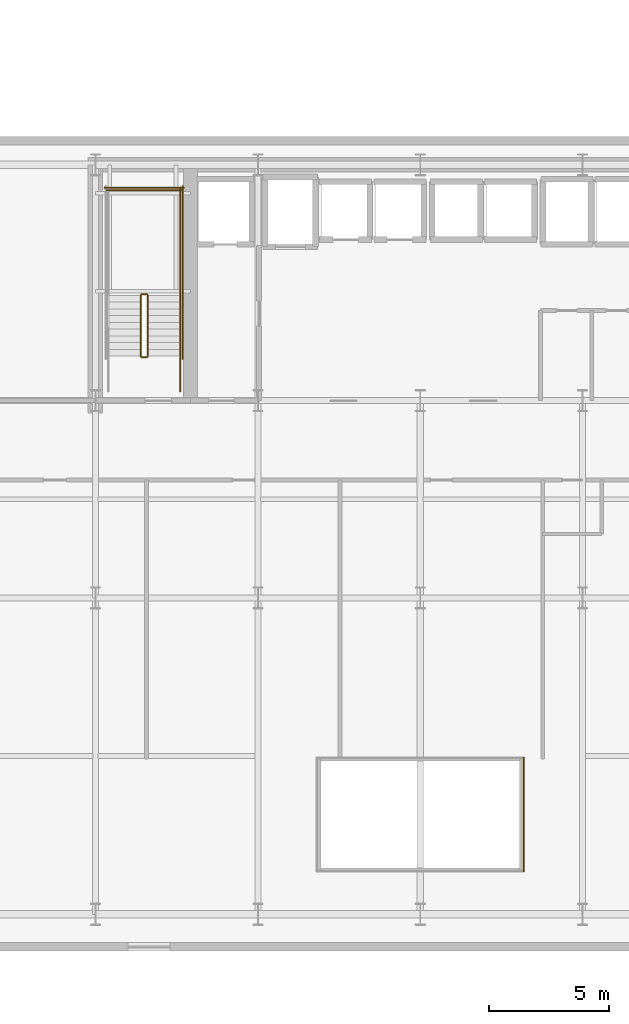
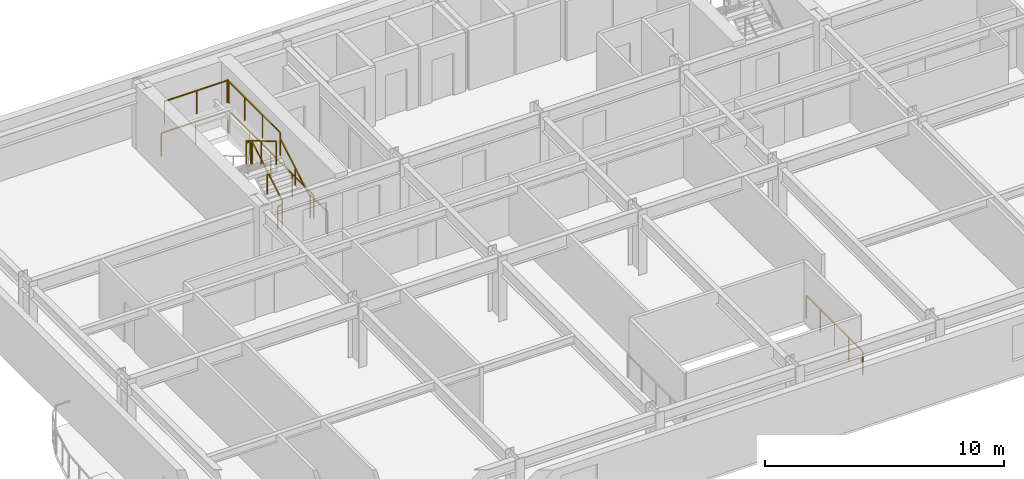
# One storey, part 12 of 16: 11 railings.
"""IFC4 building model written with IfcOpenShell, lengths in metres."""

from ifc_helpers import new_model, si_unit, direction, frame, origin, origin_2d, place, context, subcontext, project, spatial, rectangle, extrude, material, type_object, element, save


model = new_model("IFC4")

# Units and contexts
model_context = context("Model", 3, precision=1e-05, world=origin(), true_north=direction((0.0, 1.0)))
body_context = subcontext(model_context, "Body", "Model", "MODEL_VIEW")
ifc_project = project(units=[si_unit("LENGTHUNIT", "METRE"), si_unit("AREAUNIT", "SQUARE_METRE"), si_unit("VOLUMEUNIT", "CUBIC_METRE"), si_unit("PLANEANGLEUNIT", "RADIAN"), si_unit("MASSUNIT", "GRAM", prefix="KILO")], contexts=[model_context])

# Site, building, storey
site_placement = place(None, origin())
site = spatial("IfcSite", under=ifc_project, at=site_placement, CompositionType="ELEMENT")
building_placement = place(site_placement, origin())
building = spatial("IfcBuilding", under=site, at=building_placement, Name="Haevon Station Towers", CompositionType="ELEMENT")
storey_placement = place(building_placement, frame((0.0, 0.0, 57.0)))
storey = spatial("IfcBuildingStorey", under=building, at=storey_placement, Name="L14", CompositionType="ELEMENT", Elevation=57.0)

# Railings
ifc_material = material(Name="Steel S355", Category="steel")
railing_type_1 = type_object("IfcRailingType", Name="BAL-ATR1200", PredefinedType="BALUSTRADE", material=ifc_material)
railing_1_placement = place(storey_placement, frame((41.80517578125, 18.642333984375, 0.0)))
element("IfcRailing", 1, at=railing_1_placement, inside=storey, type_object=railing_type_1, Name="L14 Atrium Void Balustrade 2", PredefinedType="BALUSTRADE", context=body_context, shape_type="SweptSolid", body=[
    extrude(rectangle(XDim=0.048095703125, YDim=0.048095703125, at=origin_2d()), frame((0.0, 0.0, 1.17578125), z_axis=(0.0, 1.0, 0.0), x_axis=(-1.0, 0.0, 0.0)), (0.0, 0.0, 1.0), 4.71533203125),
    extrude(rectangle(XDim=0.0419921875, YDim=0.0419921875, at=origin_2d()), origin(), (0.0, 0.0, 1.0), 1.15185546875),
    extrude(rectangle(XDim=0.0419921875, YDim=0.0419921875, at=origin_2d()), frame((0.0, 1.1787109375, 0.0)), (0.0, 0.0, 1.0), 1.15185546875),
    extrude(rectangle(XDim=0.0419921875, YDim=0.0419921875, at=origin_2d()), frame((0.0, 2.357666015625, 0.0)), (0.0, 0.0, 1.0), 1.15185546875),
    extrude(rectangle(XDim=0.0419921875, YDim=0.0419921875, at=origin_2d()), frame((0.0, 3.53662109375, 0.0)), (0.0, 0.0, 1.0), 1.15185546875),
    extrude(rectangle(XDim=0.0419921875, YDim=0.0419921875, at=origin_2d()), frame((0.0, 4.71533203125, 0.0)), (0.0, 0.0, 1.0), 1.15185546875),
])
railing_type_2 = type_object("IfcRailingType", Name="GRD-STR1200", PredefinedType="GUARDRAIL", material=ifc_material)
railing_2_placement = place(storey_placement, frame((26.179931640625, 40.050048828125, 0.1650390625)))
element("IfcRailing", 2, at=railing_2_placement, inside=storey, type_object=railing_type_2, Name="L14 ST1 Stair Guard 1", PredefinedType="GUARDRAIL", context=body_context, shape_type="SweptSolid", body=[
    extrude(rectangle(XDim=0.048095703125, YDim=0.048095703125, at=origin_2d()), frame((0.0, 0.0, 1.17578125), z_axis=(0.0, 0.861560626758, 0.507654692109), x_axis=(-1.0, 0.0, 0.0)), (0.0, 0.0, 1.0), 2.925048828125),
    extrude(rectangle(XDim=0.0419921875, YDim=0.0419921875, at=origin_2d()), origin(), (0.0, 0.0, 1.0), 1.15185546875),
    extrude(rectangle(XDim=0.0419921875, YDim=0.0419921875, at=origin_2d()), frame((0.0, 1.260009765625, 0.742431640625)), (0.0, 0.0, 1.0), 1.15185546875),
    extrude(rectangle(XDim=0.0419921875, YDim=0.0419921875, at=origin_2d()), frame((0.0, 2.52001953125, 1.48486328125)), (0.0, 0.0, 1.0), 1.15185546875),
])
railing_3_placement = place(storey_placement, frame((26.1298828125, 42.6201171875, 1.64990234375)))
element("IfcRailing", 3, at=railing_3_placement, inside=storey, type_object=railing_type_2, Name="L14 ST1 Stair Guard 2", PredefinedType="GUARDRAIL", context=body_context, shape_type="SweptSolid", body=[
    extrude(rectangle(XDim=0.048095703125, YDim=0.048095703125, at=origin_2d()), frame((0.0, 0.0, 1.17578125), z_axis=(-1.0, 0.0, 0.0), x_axis=(0.0, -1.0, 0.0)), (0.0, 0.0, 1.0), 0.199951171875),
    extrude(rectangle(XDim=0.0419921875, YDim=0.0419921875, at=origin_2d()), origin(), (0.0, 0.0, 1.0), 1.15185546875),
    extrude(rectangle(XDim=0.0419921875, YDim=0.0419921875, at=origin_2d()), frame((-0.199951171875, 0.0, 0.0)), (0.0, 0.0, 1.0), 1.15185546875),
])
railing_4_placement = place(storey_placement, frame((27.530029296875, 42.570068359375, 1.64990234375)))
element("IfcRailing", 4, at=railing_4_placement, inside=storey, type_object=railing_type_2, Name="L14 ST1 Stair Guard 3", PredefinedType="GUARDRAIL", context=body_context, shape_type="SweptSolid", body=[
    extrude(rectangle(XDim=0.048095703125, YDim=0.048095703125, at=origin_2d()), frame((0.0, 0.0, 1.17578125), z_axis=(0.0, 1.0, 0.0), x_axis=(-1.0, 0.0, 0.0)), (0.0, 0.0, 1.0), 4.429931640625),
    extrude(rectangle(XDim=0.0419921875, YDim=0.0419921875, at=origin_2d()), origin(), (0.0, 0.0, 1.0), 1.15185546875),
    extrude(rectangle(XDim=0.0419921875, YDim=0.0419921875, at=origin_2d()), frame((0.0, 1.4765625, 0.0)), (0.0, 0.0, 1.0), 1.15185546875),
    extrude(rectangle(XDim=0.0419921875, YDim=0.0419921875, at=origin_2d()), frame((0.0, 2.953369140625, 0.0)), (0.0, 0.0, 1.0), 1.15185546875),
    extrude(rectangle(XDim=0.0419921875, YDim=0.0419921875, at=origin_2d()), frame((0.0, 4.429931640625, 0.0)), (0.0, 0.0, 1.0), 1.15185546875),
])
railing_5_placement = place(storey_placement, frame((27.580078125, 46.949951171875, 1.64990234375)))
element("IfcRailing", 5, at=railing_5_placement, inside=storey, type_object=railing_type_2, Name="L14 ST1 Stair Guard 5", PredefinedType="GUARDRAIL", context=body_context, shape_type="SweptSolid", body=[
    extrude(rectangle(XDim=0.048095703125, YDim=0.048095703125, at=origin_2d()), frame((0.0, 0.0, 1.17578125), z_axis=(-1.0, 0.0, 0.0), x_axis=(0.0, -1.0, 0.0)), (0.0, 0.0, 1.0), 3.10009765625),
    extrude(rectangle(XDim=0.0419921875, YDim=0.0419921875, at=origin_2d()), origin(), (0.0, 0.0, 1.0), 1.15185546875),
    extrude(rectangle(XDim=0.0419921875, YDim=0.0419921875, at=origin_2d()), frame((-1.550048828125, 0.0, 0.0)), (0.0, 0.0, 1.0), 1.15185546875),
    extrude(rectangle(XDim=0.0419921875, YDim=0.0419921875, at=origin_2d()), frame((-3.10009765625, 0.0, 0.0)), (0.0, 0.0, 1.0), 1.15185546875),
])
railing_6_placement = place(storey_placement, frame((25.8798828125, 42.570068359375, 1.81494140625)))
element("IfcRailing", 6, at=railing_6_placement, inside=storey, type_object=railing_type_2, Name="L14 ST1 Stair Guard 6", PredefinedType="GUARDRAIL", context=body_context, shape_type="SweptSolid", body=[
    extrude(rectangle(XDim=0.048095703125, YDim=0.048095703125, at=origin_2d()), frame((0.0, 0.0, 1.17578125), z_axis=(0.0, -0.86152411907, 0.507716645641), x_axis=(1.0, 0.0, 0.0)), (0.0, 0.0, 1.0), 2.925048828125),
    extrude(rectangle(XDim=0.0419921875, YDim=0.0419921875, at=origin_2d()), origin(), (0.0, 0.0, 1.0), 1.15185546875),
    extrude(rectangle(XDim=0.0419921875, YDim=0.0419921875, at=origin_2d()), frame((0.0, -1.260009765625, 0.74267578125)), (0.0, 0.0, 1.0), 1.15185546875),
    extrude(rectangle(XDim=0.0419921875, YDim=0.0419921875, at=origin_2d()), frame((0.0, -2.52001953125, 1.485107421875)), (0.0, 0.0, 1.0), 1.15185546875),
])
railing_7_placement = place(storey_placement, frame((26.1298828125, 40.0, 0.0)))
element("IfcRailing", 7, at=railing_7_placement, inside=storey, type_object=railing_type_2, Name="L14 ST1 Stair Guard 7", PredefinedType="GUARDRAIL", context=body_context, shape_type="SweptSolid", body=[
    extrude(rectangle(XDim=0.048095703125, YDim=0.048095703125, at=origin_2d()), frame((0.0, 0.0, 1.17578125), z_axis=(-1.0, 0.0, 0.0), x_axis=(0.0, -1.0, 0.0)), (0.0, 0.0, 1.0), 0.199951171875),
    extrude(rectangle(XDim=0.0419921875, YDim=0.0419921875, at=origin_2d()), origin(), (0.0, 0.0, 1.0), 1.15185546875),
    extrude(rectangle(XDim=0.0419921875, YDim=0.0419921875, at=origin_2d()), frame((-0.199951171875, 0.0, 0.0)), (0.0, 0.0, 1.0), 1.15185546875),
])
railing_8_placement = place(storey_placement, frame((27.530029296875, 38.60009765625, 0.0)))
element("IfcRailing", 8, at=railing_8_placement, inside=storey, type_object=railing_type_2, Name="L14 ST1 Stair Guard 8", PredefinedType="GUARDRAIL", context=body_context, shape_type="SweptSolid", body=[
    extrude(rectangle(XDim=0.048095703125, YDim=0.048095703125, at=origin_2d()), frame((0.0, 0.0, 1.17578125), z_axis=(0.0, 1.0, 0.0), x_axis=(-1.0, 0.0, 0.0)), (0.0, 0.0, 1.0), 1.449951171875),
    extrude(rectangle(XDim=0.0419921875, YDim=0.0419921875, at=origin_2d()), origin(), (0.0, 0.0, 1.0), 1.15185546875),
    extrude(rectangle(XDim=0.0419921875, YDim=0.0419921875, at=origin_2d()), frame((0.0, 1.449951171875, 0.0)), (0.0, 0.0, 1.0), 1.15185546875),
])
railing_9_placement = place(storey_placement, frame((27.6298828125, 39.949951171875, 0.0)))
element("IfcRailing", 9, at=railing_9_placement, inside=storey, type_object=railing_type_2, Name="L14 ST1 Stair Guard 10", PredefinedType="GUARDRAIL", context=body_context, shape_type="SweptSolid", body=[
    extrude(rectangle(XDim=0.048095703125, YDim=0.048095703125, at=origin_2d()), frame((0.0, 0.0, 1.17578125), z_axis=(0.0, 1.0, 0.0), x_axis=(-1.0, 0.0, 0.0)), (0.0, 0.0, 1.0), 7.150146484375),
    extrude(rectangle(XDim=0.0419921875, YDim=0.0419921875, at=origin_2d()), origin(), (0.0, 0.0, 1.0), 1.15185546875),
    extrude(rectangle(XDim=0.0419921875, YDim=0.0419921875, at=origin_2d()), frame((0.0, 1.78759765625, 0.0)), (0.0, 0.0, 1.0), 1.15185546875),
    extrude(rectangle(XDim=0.0419921875, YDim=0.0419921875, at=origin_2d()), frame((0.0, 3.5751953125, 0.0)), (0.0, 0.0, 1.0), 1.15185546875),
    extrude(rectangle(XDim=0.0419921875, YDim=0.0419921875, at=origin_2d()), frame((0.0, 5.362548828125, 0.0)), (0.0, 0.0, 1.0), 1.15185546875),
    extrude(rectangle(XDim=0.0419921875, YDim=0.0419921875, at=origin_2d()), frame((0.0, 7.150146484375, 0.0)), (0.0, 0.0, 1.0), 1.15185546875),
])
railing_10_placement = place(storey_placement, frame((27.679931640625, 47.050048828125, 0.0)))
element("IfcRailing", 10, at=railing_10_placement, inside=storey, type_object=railing_type_2, Name="L14 ST1 Stair Guard 12", PredefinedType="GUARDRAIL", context=body_context, shape_type="SweptSolid", body=[
    extrude(rectangle(XDim=0.048095703125, YDim=0.048095703125, at=origin_2d()), frame((0.0, 0.0, 1.17578125), z_axis=(-1.0, 0.0, 0.0), x_axis=(0.0, -1.0, 0.0)), (0.0, 0.0, 1.0), 3.300048828125),
    extrude(rectangle(XDim=0.0419921875, YDim=0.0419921875, at=origin_2d()), origin(), (0.0, 0.0, 1.0), 1.15185546875),
    extrude(rectangle(XDim=0.0419921875, YDim=0.0419921875, at=origin_2d()), frame((-1.64990234375, 0.0, 0.0)), (0.0, 0.0, 1.0), 1.15185546875),
    extrude(rectangle(XDim=0.0419921875, YDim=0.0419921875, at=origin_2d()), frame((-3.300048828125, 0.0, 0.0)), (0.0, 0.0, 1.0), 1.15185546875),
])
railing_type_3 = type_object("IfcRailingType", Name="HND-STR900", PredefinedType="HANDRAIL", material=ifc_material)
railing_11_placement = place(storey_placement, frame((27.530029296875, 40.050048828125, 0.1650390625)))
element("IfcRailing", 11, at=railing_11_placement, inside=storey, type_object=railing_type_3, Name="L14 ST1 Stair Handrail 1", PredefinedType="HANDRAIL", context=body_context, shape_type="SweptSolid", body=[
    extrude(rectangle(XDim=0.048095703125, YDim=0.048095703125, at=origin_2d()), frame((0.0, 0.0, 0.8759765625), z_axis=(0.0, 0.861560626758, 0.507654692109), x_axis=(-1.0, 0.0, 0.0)), (0.0, 0.0, 1.0), 2.925048828125),
    extrude(rectangle(XDim=0.0419921875, YDim=0.0419921875, at=origin_2d()), origin(), (0.0, 0.0, 1.0), 0.851806640625),
    extrude(rectangle(XDim=0.0419921875, YDim=0.0419921875, at=origin_2d()), frame((0.0, 1.260009765625, 0.742431640625)), (0.0, 0.0, 1.0), 0.851806640625),
    extrude(rectangle(XDim=0.0419921875, YDim=0.0419921875, at=origin_2d()), frame((0.0, 2.52001953125, 1.48486328125)), (0.0, 0.0, 1.0), 0.851806640625),
])

save(model, "model.ifc")
